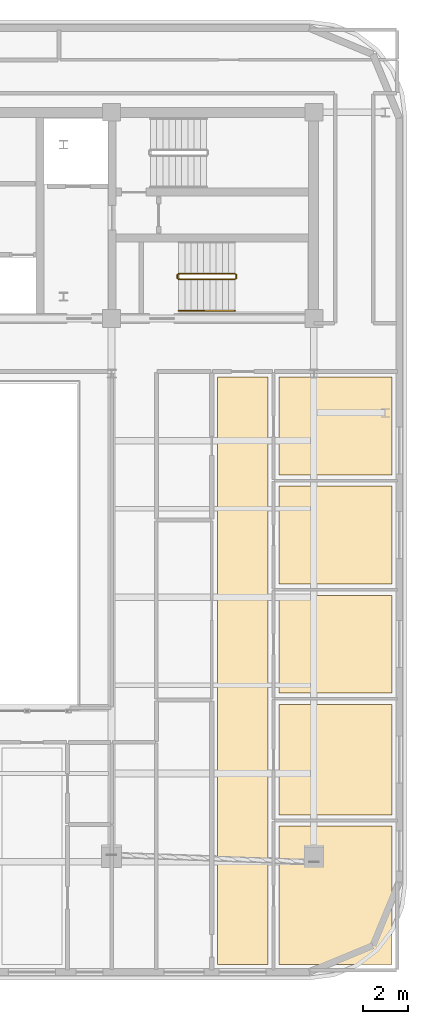
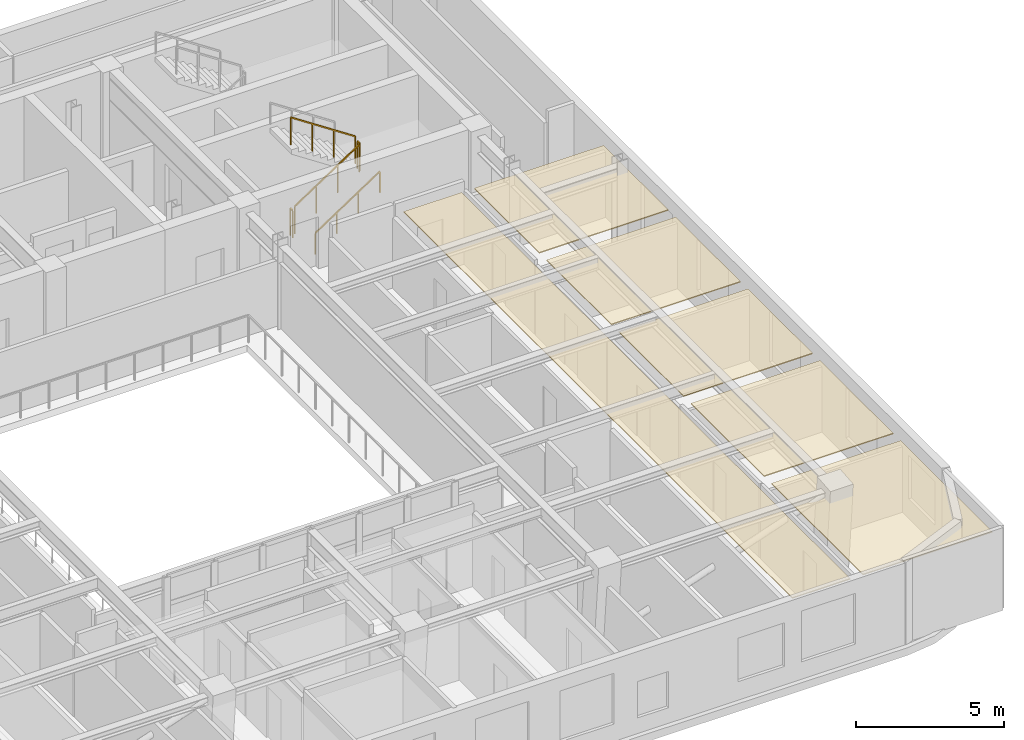
# One storey, part 12 of 13: 6 coverings, 5 railings.
"""IFC4 building model written with IfcOpenShell, lengths in metres."""

from ifc_helpers import new_model, si_unit, direction, frame, origin, origin_2d, place, context, subcontext, project, spatial, polyline, rectangle, outline, extrude, material, layer, layer_set, type_object, element, save


model = new_model("IFC4")

# Units and contexts
model_context = context("Model", 3, precision=1e-05, world=origin(), true_north=direction((0.0, 1.0)))
body_context = subcontext(model_context, "Body", "Model", "MODEL_VIEW")
ifc_project = project(units=[si_unit("LENGTHUNIT", "METRE"), si_unit("AREAUNIT", "SQUARE_METRE"), si_unit("VOLUMEUNIT", "CUBIC_METRE"), si_unit("PLANEANGLEUNIT", "RADIAN"), si_unit("MASSUNIT", "GRAM", prefix="KILO")], contexts=[model_context])

# Site, building, storey
site_placement = place(None, origin())
site = spatial("IfcSite", under=ifc_project, at=site_placement, CompositionType="ELEMENT")
building_placement = place(site_placement, origin())
building = spatial("IfcBuilding", under=site, at=building_placement, Name="Zarnavel Station Tower", CompositionType="ELEMENT")
storey_placement = place(building_placement, frame((0.0, 0.0, 247.300048828125)))
storey = spatial("IfcBuildingStorey", under=building, at=storey_placement, Name="L67", CompositionType="ELEMENT", Elevation=247.300048828125)

# Coverings
ifc_material_1 = material(Name="Perforated Gypsum and Mineral-Wool Acoustic Ceiling", Category="concrete")
ifc_layer = layer(ifc_material_1, 0.0400390625)
ifc_layer_set = layer_set([ifc_layer], Name="COV_CEIL_ACOUSTIC")
covering_type = type_object("IfcCoveringType", Name="COV_CEIL_ACOUSTIC", PredefinedType="CEILING", material=ifc_layer_set)
covering_1_placement = place(storey_placement, frame((0.0, 0.0, 3.099853515625)))
element("IfcCovering", 1, at=covering_1_placement, inside=storey, type_object=covering_type, Name="L67 UE1LV Acoustic Ceiling", PredefinedType="CEILING", context=body_context, shape_type="SweptSolid", body=[
    extrude(outline(polyline([(41.08203125, -1.090087890625), (43.343994140625, -1.090087890625), (43.343994140625, 25.199951171875), (41.08203125, 25.199951171875), (41.08203125, -1.090087890625)])), origin(), (0.0, 0.0, 1.0), 0.0400390625),
])
covering_2_placement = place(storey_placement, frame((0.0, 0.0, 3.099853515625)))
element("IfcCovering", 2, at=covering_2_placement, inside=storey, type_object=covering_type, Name="L67 UE1B1 Acoustic Ceiling", PredefinedType="CEILING", context=body_context, shape_type="SweptSolid", body=[
    extrude(outline(polyline([(43.843994140625, -1.090087890625), (48.889892578125, -1.090087890625), (48.889892578125, 5.10693359375), (43.843994140625, 5.10693359375), (43.843994140625, -1.090087890625)])), origin(), (0.0, 0.0, 1.0), 0.0400390625),
])
covering_3_placement = place(storey_placement, frame((0.0, 0.0, 3.099853515625)))
element("IfcCovering", 3, at=covering_3_placement, inside=storey, type_object=covering_type, Name="L67 UE1B2 Acoustic Ceiling", PredefinedType="CEILING", context=body_context, shape_type="SweptSolid", body=[
    extrude(outline(polyline([(43.843994140625, 5.60693359375), (48.889892578125, 5.60693359375), (48.889892578125, 10.555908203125), (43.843994140625, 10.555908203125), (43.843994140625, 5.60693359375)])), origin(), (0.0, 0.0, 1.0), 0.0400390625),
])
covering_4_placement = place(storey_placement, frame((0.0, 0.0, 3.099853515625)))
element("IfcCovering", 4, at=covering_4_placement, inside=storey, type_object=covering_type, Name="L67 UE1B3 Acoustic Ceiling", PredefinedType="CEILING", context=body_context, shape_type="SweptSolid", body=[
    extrude(outline(polyline([(43.843994140625, 11.055908203125), (48.889892578125, 11.055908203125), (48.889892578125, 15.43701171875), (43.843994140625, 15.43701171875), (43.843994140625, 11.055908203125)])), origin(), (0.0, 0.0, 1.0), 0.0400390625),
])
covering_5_placement = place(storey_placement, frame((0.0, 0.0, 3.099853515625)))
element("IfcCovering", 5, at=covering_5_placement, inside=storey, type_object=covering_type, Name="L67 UE1B4 Acoustic Ceiling", PredefinedType="CEILING", context=body_context, shape_type="SweptSolid", body=[
    extrude(outline(polyline([(43.843994140625, 15.93701171875), (48.889892578125, 15.93701171875), (48.889892578125, 20.318115234375), (43.843994140625, 20.318115234375), (43.843994140625, 15.93701171875)])), origin(), (0.0, 0.0, 1.0), 0.0400390625),
])
covering_6_placement = place(storey_placement, frame((0.0, 0.0, 3.099853515625)))
element("IfcCovering", 6, at=covering_6_placement, inside=storey, type_object=covering_type, Name="L67 UE1B5 Acoustic Ceiling", PredefinedType="CEILING", context=body_context, shape_type="SweptSolid", body=[
    extrude(outline(polyline([(43.843994140625, 20.818115234375), (48.889892578125, 20.818115234375), (48.889892578125, 25.199951171875), (43.843994140625, 25.199951171875), (43.843994140625, 20.818115234375)])), origin(), (0.0, 0.0, 1.0), 0.0400390625),
])

# Railings
ifc_material_2 = material(Name="Painted Steel S355J2 Balustrade", Category="steel")
railing_type_1 = type_object("IfcRailingType", Name="GR_INT_1150", PredefinedType="GUARDRAIL", material=ifc_material_2)
railing_1_placement = place(storey_placement, frame((39.35009765625, 29.570068359375, 0.18505859375)))
element("IfcRailing", 7, at=railing_1_placement, inside=storey, type_object=railing_type_1, Name="L67 ST3 stair guard 1", PredefinedType="GUARDRAIL", context=body_context, shape_type="SweptSolid", body=[
    extrude(rectangle(XDim=0.048095703125, YDim=0.048095703125, at=origin_2d()), frame((0.001708984375, 0.0, 1.126953125), z_axis=(0.83436851402, 0.0, 0.551207023552), x_axis=(0.0, 1.0, 0.0)), (0.0, 0.0, 1.0), 3.016357421875),
    extrude(rectangle(XDim=0.0419921875, YDim=0.0419921875, at=origin_2d()), origin(), (0.0, 0.0, 1.0), 1.101806640625),
    extrude(rectangle(XDim=0.0419921875, YDim=0.0419921875, at=origin_2d()), frame((0.840087890625, 0.0, 0.554931640625)), (0.0, 0.0, 1.0), 1.101806640625),
    extrude(rectangle(XDim=0.0419921875, YDim=0.0419921875, at=origin_2d()), frame((1.679931640625, 0.0, 1.10986328125)), (0.0, 0.0, 1.0), 1.101806640625),
    extrude(rectangle(XDim=0.0419921875, YDim=0.0419921875, at=origin_2d()), frame((2.52001953125, 0.0, 1.664794921875)), (0.0, 0.0, 1.0), 1.101806640625),
])
railing_2_placement = place(storey_placement, frame((41.919921875, 29.6201171875, 1.849853515625)))
element("IfcRailing", 8, at=railing_2_placement, inside=storey, type_object=railing_type_1, Name="L67 ST3 stair guard 2", PredefinedType="GUARDRAIL", context=body_context, shape_type="SweptSolid", body=[
    extrude(rectangle(XDim=0.048095703125, YDim=0.048095703125, at=origin_2d()), frame((0.0, 0.001953125, 1.1259765625), z_axis=(0.0, 1.0, 0.0), x_axis=(-1.0, 0.0, 0.0)), (0.0, 0.0, 1.0), 0.156005859375),
    extrude(rectangle(XDim=0.0419921875, YDim=0.0419921875, at=origin_2d()), origin(), (0.0, 0.0, 1.0), 1.101806640625),
    extrude(rectangle(XDim=0.0419921875, YDim=0.0419921875, at=origin_2d()), frame((0.0, 0.159912109375, 0.0)), (0.0, 0.0, 1.0), 1.101806640625),
])
railing_3_placement = place(storey_placement, frame((41.8701171875, 29.830078125, 2.034912109375)))
element("IfcRailing", 9, at=railing_3_placement, inside=storey, type_object=railing_type_1, Name="L67 ST3 stair guard 3", PredefinedType="GUARDRAIL", context=body_context, shape_type="SweptSolid", body=[
    extrude(rectangle(XDim=0.048095703125, YDim=0.048095703125, at=origin_2d()), frame((-0.001708984375, 0.0, 1.126953125), z_axis=(-0.834331337432, 0.0, 0.55126329406), x_axis=(0.0, -1.0, 0.0)), (0.0, 0.0, 1.0), 3.016357421875),
    extrude(rectangle(XDim=0.0419921875, YDim=0.0419921875, at=origin_2d()), origin(), (0.0, 0.0, 1.0), 1.101806640625),
    extrude(rectangle(XDim=0.0419921875, YDim=0.0419921875, at=origin_2d()), frame((-0.840087890625, 0.0, 0.554931640625)), (0.0, 0.0, 1.0), 1.101806640625),
    extrude(rectangle(XDim=0.0419921875, YDim=0.0419921875, at=origin_2d()), frame((-1.679931640625, 0.0, 1.110107421875)), (0.0, 0.0, 1.0), 1.101806640625),
    extrude(rectangle(XDim=0.0419921875, YDim=0.0419921875, at=origin_2d()), frame((-2.52001953125, 0.0, 1.6650390625)), (0.0, 0.0, 1.0), 1.101806640625),
])
railing_4_placement = place(storey_placement, frame((39.300048828125, 29.6201171875, 0.0)))
element("IfcRailing", 10, at=railing_4_placement, inside=storey, type_object=railing_type_1, Name="L67 ST3 stair guard 4", PredefinedType="GUARDRAIL", context=body_context, shape_type="SweptSolid", body=[
    extrude(rectangle(XDim=0.048095703125, YDim=0.048095703125, at=origin_2d()), frame((0.0, 0.001953125, 1.1259765625), z_axis=(0.0, 1.0, 0.0), x_axis=(-1.0, 0.0, 0.0)), (0.0, 0.0, 1.0), 0.156005859375),
    extrude(rectangle(XDim=0.0419921875, YDim=0.0419921875, at=origin_2d()), origin(), (0.0, 0.0, 1.0), 1.101806640625),
    extrude(rectangle(XDim=0.0419921875, YDim=0.0419921875, at=origin_2d()), frame((0.0, 0.159912109375, 0.0)), (0.0, 0.0, 1.0), 1.101806640625),
])
ifc_material_3 = material(Name="Brushed Stainless Steel S355J2 Handrail", Category="steel")
railing_type_2 = type_object("IfcRailingType", Name="HR_STAIR_900", PredefinedType="HANDRAIL", material=ifc_material_3)
railing_5_placement = place(storey_placement, frame((39.35009765625, 28.169921875, 0.18505859375)))
element("IfcRailing", 11, at=railing_5_placement, inside=storey, type_object=railing_type_2, Name="L67 ST3 stair handrail 1", PredefinedType="HANDRAIL", context=body_context, shape_type="SweptSolid", body=[
    extrude(rectangle(XDim=0.048095703125, YDim=0.048095703125, at=origin_2d()), frame((0.001708984375, 0.0, 0.876953125), z_axis=(0.83436851402, 0.0, 0.551207023552), x_axis=(0.0, 1.0, 0.0)), (0.0, 0.0, 1.0), 3.016357421875),
    extrude(rectangle(XDim=0.0419921875, YDim=0.0419921875, at=origin_2d()), origin(), (0.0, 0.0, 1.0), 0.851806640625),
    extrude(rectangle(XDim=0.0419921875, YDim=0.0419921875, at=origin_2d()), frame((0.840087890625, 0.0, 0.554931640625)), (0.0, 0.0, 1.0), 0.851806640625),
    extrude(rectangle(XDim=0.0419921875, YDim=0.0419921875, at=origin_2d()), frame((1.679931640625, 0.0, 1.10986328125)), (0.0, 0.0, 1.0), 0.851806640625),
    extrude(rectangle(XDim=0.0419921875, YDim=0.0419921875, at=origin_2d()), frame((2.52001953125, 0.0, 1.664794921875)), (0.0, 0.0, 1.0), 0.851806640625),
])

save(model, "model.ifc")
